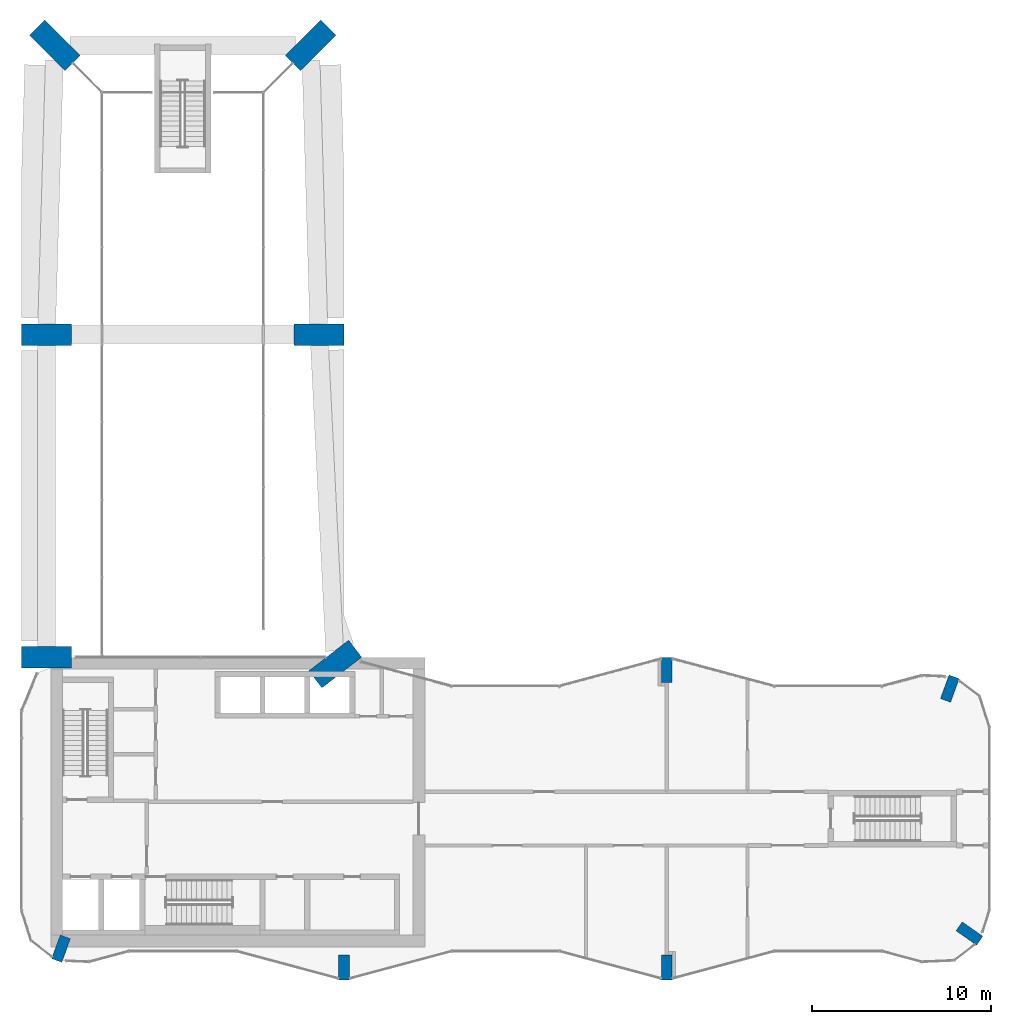
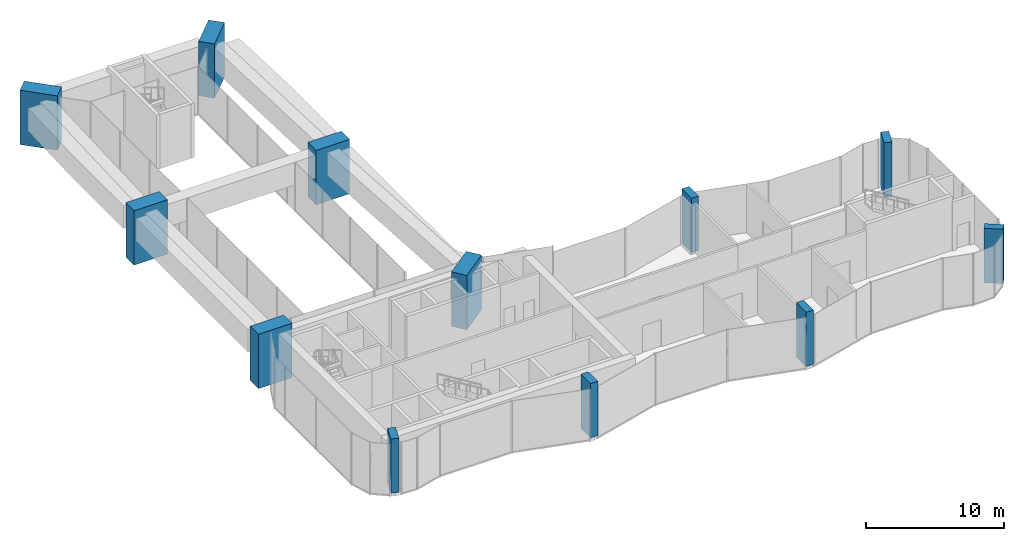
# One storey, part 1 of 13: 12 columns.
"""IFC4 building model written with IfcOpenShell, lengths in metres."""

from ifc_helpers import new_model, si_unit, direction, frame, origin, origin_2d, place, context, subcontext, project, spatial, rectangle, extrude, material, material_profile, profile_set, type_object, element, save


model = new_model("IFC4")

# Units and contexts
model_context = context("Model", 3, precision=1e-05, world=origin(), true_north=direction((0.0, 1.0)))
body_context = subcontext(model_context, "Body", "Model", "MODEL_VIEW")
ifc_project = project(units=[si_unit("LENGTHUNIT", "METRE"), si_unit("AREAUNIT", "SQUARE_METRE"), si_unit("VOLUMEUNIT", "CUBIC_METRE"), si_unit("PLANEANGLEUNIT", "RADIAN"), si_unit("MASSUNIT", "GRAM", prefix="KILO")], contexts=[model_context])

# Site, building, storey
site_placement = place(None, origin())
site = spatial("IfcSite", under=ifc_project, at=site_placement, CompositionType="ELEMENT")
building_placement = place(site_placement, origin())
building = spatial("IfcBuilding", under=site, at=building_placement, Name="Plateau Cross Towers", CompositionType="ELEMENT")
storey_placement = place(building_placement, frame((0.0, 0.0, 134.60009765625)))
storey = spatial("IfcBuildingStorey", under=building, at=storey_placement, Name="L34", CompositionType="ELEMENT", Elevation=134.60009765625)

# Columns
ifc_material = material(Name="Concrete C60/75", Category="concrete")
ifc_material_profile_1 = material_profile(ifc_material, rectangle(XDim=0.60009765625, YDim=1.39990234375, at=origin_2d()), Name="RC 600x1400")
ifc_profile_set_1 = profile_set([ifc_material_profile_1], Name="Concrete C60/75")
column_type_1 = type_object("IfcColumnType", Name="Fin pier column RC 600x1400", PredefinedType="COLUMN", material=ifc_profile_set_1)
for number, where, z_axis, x_axis, name in (
    (1, (18.0, 0.699951171875, 0.0), (0.0, 0.0, 1.0), (1.0, 0.0, 0.0), "PR1 L34"),
    (2, (36.0, 0.699951171875, 0.0), (0.0, 0.0, 1.0), (1.0, 0.0, 0.0), "PR2 L34"),
    (3, (52.884033203125, 2.590087890625, 0.0), (0.0, 0.0, 1.0), (0.573542637991, 0.819175709117, 0.0), "PR3 L34"),
    (4, (51.786865234375, 16.251953125, 0.0), (0.0, 0.0, 1.0), (-0.939664280925, 0.342097996418, 0.0), "PR4 L34"),
    (5, (36.0, 17.300048828125, 0.0), (0.0, 0.0, 1.0), (1.0, 0.0, 0.0), "PR5 L34"),
    (6, (2.213134765625, 1.748046875, 0.0), (0.0, 0.0, 1.0), (-0.939664280925, 0.342097996418, 0.0), "PR12 L34"),
):
    element("IfcColumn", number, at=place(storey_placement, frame(where, z_axis=z_axis, x_axis=x_axis)), inside=storey, type_object=column_type_1, Name=name, PredefinedType="COLUMN", context=body_context, shape_type="SweptSolid", body=[
        extrude(rectangle(XDim=0.60009765625, YDim=1.39990234375, at=origin_2d()), origin(), (0.0, 0.0, 1.0), 4.7998046875),
    ])
ifc_material_profile_2 = material_profile(ifc_material, rectangle(XDim=1.199951171875, YDim=2.800048828125, at=origin_2d()), Name="RC 1200x2800")
ifc_profile_set_2 = profile_set([ifc_material_profile_2], Name="Concrete C60/75")
column_type_2 = type_object("IfcColumnType", Name="Mega column RC 1200x2800", PredefinedType="COLUMN", material=ifc_profile_set_2)
for number, where, z_axis, x_axis, name in (
    (7, (17.509521484375, 17.62353515625, 0.0), (0.0, 0.0, 1.0), (-0.608810846443, 0.793315418515, 0.0), "A-MC6 L34"),
    (8, (16.60009765625, 36.0, 0.0), (0.0, 0.0, 1.0), (0.0, 1.0, 0.0), "A-MC7 L34"),
    (9, (16.13134765625, 52.13134765625, 0.0), (0.0, 0.0, 1.0), (-0.707106781187, 0.707106781187, 0.0), "A-MC8 L34"),
    (10, (1.86865234375, 52.13134765625, 0.0), (0.0, 0.0, 1.0), (0.707106781187, 0.707106781187, 0.0), "A-MC9 L34"),
    (11, (1.39990234375, 36.0, 0.0), (0.0, 0.0, 1.0), (0.0, 1.0, 0.0), "A-MC10 L34"),
    (12, (1.39990234375, 18.0, 0.0), (0.0, 0.0, 1.0), (0.0, 1.0, 0.0), "A-MC11 L34"),
):
    element("IfcColumn", number, at=place(storey_placement, frame(where, z_axis=z_axis, x_axis=x_axis)), inside=storey, type_object=column_type_2, Name=name, PredefinedType="COLUMN", context=body_context, shape_type="SweptSolid", body=[
        extrude(rectangle(XDim=1.199951171875, YDim=2.800048828125, at=origin_2d()), origin(), (0.0, 0.0, 1.0), 4.7998046875),
    ])

save(model, "model.ifc")
